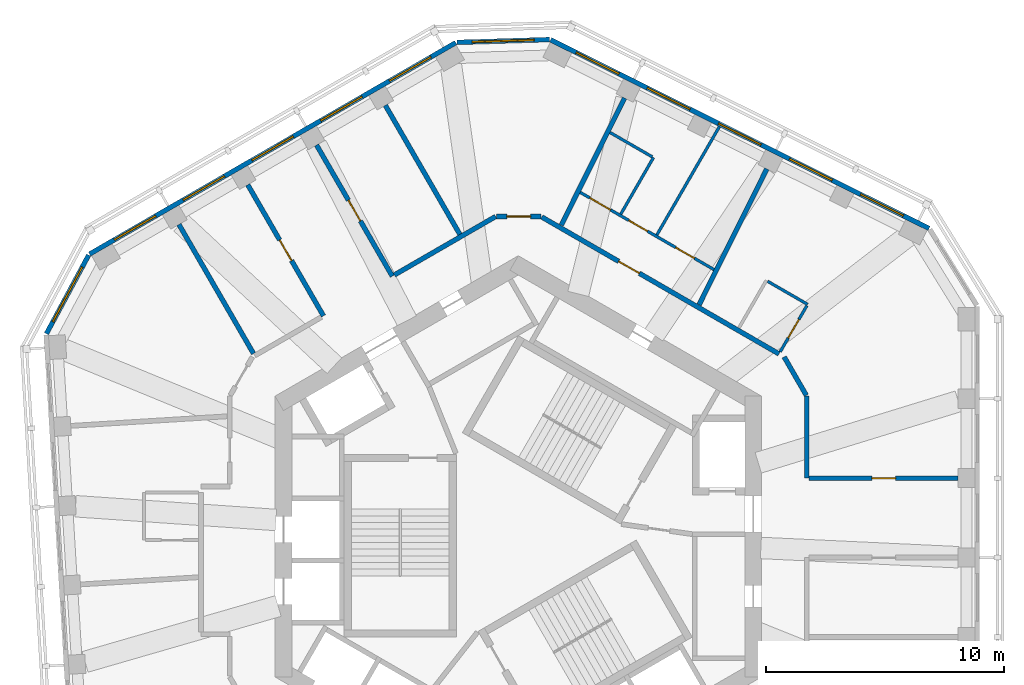
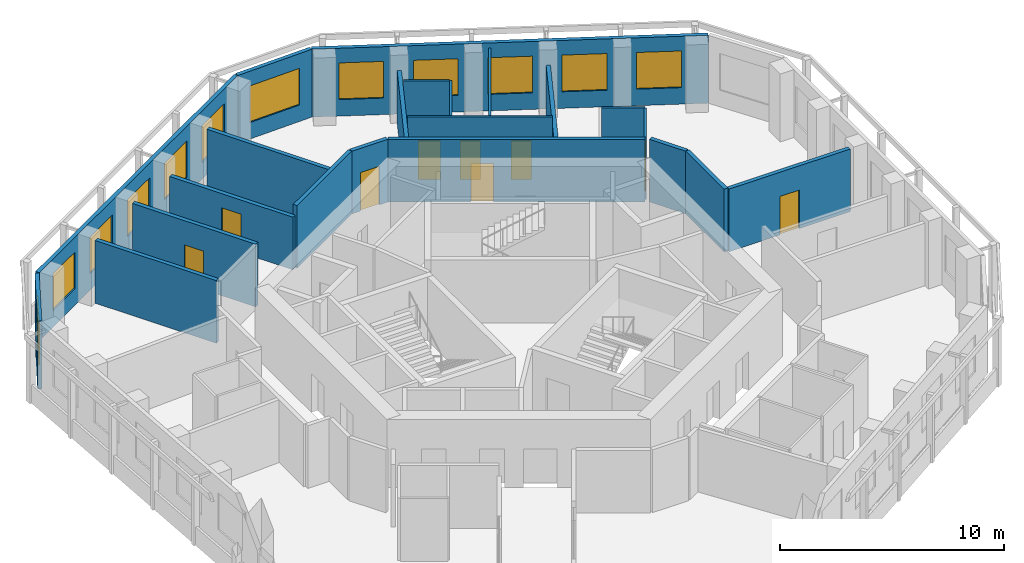
# One storey, part 7 of 11: 22 walls, 12 windows, 9 doors, 21 openings.
"""IFC4 building model written with IfcOpenShell, lengths in metres."""

from ifc_helpers import new_model, si_unit, direction, frame, frame_2d, origin, place, context, subcontext, project, spatial, rectangle, extrude, material, layer, layer_set, type_object, element, fill, save


model = new_model("IFC4")

# Units and contexts
model_context = context("Model", 3, precision=1e-05, world=origin(), true_north=direction((0.0, 1.0)))
body_context = subcontext(model_context, "Body", "Model", "MODEL_VIEW")
ifc_project = project(units=[si_unit("LENGTHUNIT", "METRE"), si_unit("AREAUNIT", "SQUARE_METRE"), si_unit("VOLUMEUNIT", "CUBIC_METRE"), si_unit("PLANEANGLEUNIT", "RADIAN"), si_unit("MASSUNIT", "GRAM", prefix="KILO")], contexts=[model_context])

# Site, building, storey
site_placement = place(None, origin())
site = spatial("IfcSite", under=ifc_project, at=site_placement, CompositionType="ELEMENT")
building_placement = place(site_placement, origin())
building = spatial("IfcBuilding", under=site, at=building_placement, Name="Vanh Sen Convention Tower", CompositionType="ELEMENT")
storey_placement = place(building_placement, frame((0.0, 0.0, 285.699951171875)))
storey = spatial("IfcBuildingStorey", under=building, at=storey_placement, Name="L70", CompositionType="ELEMENT", Elevation=285.699951171875)

# Walls
ifc_material_1 = material(Name="Moisture-resistant gypsum board on steel studs", Category="steel")
ifc_layer_1 = layer(ifc_material_1, 0.1201171875)
ifc_layer_set_1 = layer_set([ifc_layer_1], Name="Moisture-resistant gypsum board on steel studs")
wall_type_1 = type_object("IfcWallType", Name="Bathroom partition 120", PredefinedType="PARTITIONING", material=ifc_layer_set_1)
wall_1_placement = place(storey_placement, frame((4.298828125, 13.522216796875, 0.0), z_axis=(0.0, 0.0, 1.0), x_axis=(0.499982138324, 0.866035715982, 0.0)))
element("IfcWall", 1, at=wall_1_placement, inside=storey, type_object=wall_type_1, Name="Bathroom partition 120", PredefinedType="PARTITIONING", context=body_context, shape_type="SweptSolid", body=[
    extrude(rectangle(XDim=2.73974609375, YDim=0.1201171875, at=frame_2d((1.369873046875, 0.0))), origin(), (0.0, 0.0, 1.0), 3.420166015625),
])
wall_2_placement = place(storey_placement, frame((5.61669921875, 15.925048828125, 0.0), z_axis=(0.0, 0.0, 1.0), x_axis=(-0.866010195725, 0.500026340207, 0.0)))
element("IfcWall", 2, at=wall_2_placement, inside=storey, type_object=wall_type_1, Name="Bathroom partition 120", PredefinedType="PARTITIONING", context=body_context, shape_type="SweptSolid", body=[
    extrude(rectangle(XDim=2.0400390625, YDim=0.1201171875, at=frame_2d((1.02001953125, 0.0))), origin(), (0.0, 0.0, 1.0), 3.420166015625),
])

# Wall, openings, doors
wall_3_placement = place(storey_placement, frame((8.20654296875, 11.19677734375, 0.0), z_axis=(0.0, 0.0, 1.0), x_axis=(-0.866030514021, 0.499991148707, 0.0)))
wall_3 = element("IfcWall", 3, at=wall_3_placement, inside=storey, type_object=wall_type_1, Name="Bathroom partition 120", PredefinedType="PARTITIONING", context=body_context, shape_type="SweptSolid", body=[
    extrude(rectangle(XDim=6.4755859375, YDim=0.1201171875, at=frame_2d((3.23779296875, 0.0))), origin(), (0.0, 0.0, 1.0), 3.420166015625),
])
opening_1_placement = place(wall_3_placement, frame((5.01123046875, 0.0, 0.0)))
opening_1 = element("IfcOpeningElement", 4, at=opening_1_placement, cuts=wall_3, Name="Opening D70104", PredefinedType="OPENING", context=body_context, shape_type="SweptSolid", body=[
    extrude(rectangle(XDim=1.0, YDim=2.10009765625, at=frame_2d((0.5, 1.050048828125))), frame((0.0, 0.070068359375, 0.0), z_axis=(0.0, -1.0, 0.0), x_axis=(1.0, 0.0, 0.0)), (0.0, 0.0, 1.0), 0.14013671875),
])
opening_2_placement = place(wall_3_placement, frame((0.949951171875, 0.0, 0.0)))
opening_2 = element("IfcOpeningElement", 5, at=opening_2_placement, cuts=wall_3, Name="Opening D70105", PredefinedType="OPENING", context=body_context, shape_type="SweptSolid", body=[
    extrude(rectangle(XDim=0.89990234375, YDim=2.10009765625, at=frame_2d((0.449951171875, 1.050048828125))), frame((0.0, 0.070068359375, 0.0), z_axis=(0.0, -1.0, 0.0), x_axis=(1.0, 0.0, 0.0)), (0.0, 0.0, 1.0), 0.14013671875),
])
opening_3_placement = place(wall_3_placement, frame((3.223388671875, 0.0, 0.0)))
opening_3 = element("IfcOpeningElement", 6, at=opening_3_placement, cuts=wall_3, Name="Opening D70106", PredefinedType="OPENING", context=body_context, shape_type="SweptSolid", body=[
    extrude(rectangle(XDim=0.89990234375, YDim=2.10009765625, at=frame_2d((0.449951171875, 1.050048828125))), frame((0.0, 0.070068359375, 0.0), z_axis=(0.0, -1.0, 0.0), x_axis=(1.0, 0.0, 0.0)), (0.0, 0.0, 1.0), 0.14013671875),
])
ifc_material_2 = material(Name="Laminate door in steel frame", Category="steel")
door_type_1 = type_object("IfcDoorType", Name="Accessible WC door 1000", OperationType="SINGLE_SWING_LEFT", PredefinedType="DOOR", material=ifc_material_2)
door_1_placement = place(opening_1_placement, origin())
door_1 = element("IfcDoor", 7, at=door_1_placement, inside=storey, type_object=door_type_1, Name="Accessible WC door D70104", OperationType="SINGLE_SWING_LEFT", OverallHeight=2.10009765625, OverallWidth=1.0, PredefinedType="DOOR", context=body_context, shape_type="SweptSolid", body=[
    extrude(rectangle(XDim=1.0, YDim=2.10009765625, at=frame_2d((0.5, 1.050048828125))), frame((0.0, 0.02490234375, 0.0), z_axis=(0.0, -1.0, 0.0), x_axis=(1.0, 0.0, 0.0)), (0.0, 0.0, 1.0), 0.050048828125),
])
fill(opening_1, door_1)
door_type_2 = type_object("IfcDoorType", Name="Room internal door 900", OperationType="SINGLE_SWING_LEFT", PredefinedType="DOOR", material=ifc_material_2)
door_2_placement = place(opening_2_placement, origin())
door_2 = element("IfcDoor", 8, at=door_2_placement, inside=storey, type_object=door_type_2, Name="Internal room door D70105", OperationType="SINGLE_SWING_LEFT", OverallHeight=2.10009765625, OverallWidth=0.89990234375, PredefinedType="DOOR", context=body_context, shape_type="SweptSolid", body=[
    extrude(rectangle(XDim=0.89990234375, YDim=2.10009765625, at=frame_2d((0.449951171875, 1.050048828125))), frame((0.0, 0.02490234375, 0.0), z_axis=(0.0, -1.0, 0.0), x_axis=(1.0, 0.0, 0.0)), (0.0, 0.0, 1.0), 0.050048828125),
])
fill(opening_2, door_2)
door_3_placement = place(opening_3_placement, origin())
door_3 = element("IfcDoor", 9, at=door_3_placement, inside=storey, type_object=door_type_2, Name="Internal room door D70106", OperationType="SINGLE_SWING_LEFT", OverallHeight=2.10009765625, OverallWidth=0.89990234375, PredefinedType="DOOR", context=body_context, shape_type="SweptSolid", body=[
    extrude(rectangle(XDim=0.89990234375, YDim=2.10009765625, at=frame_2d((0.449951171875, 1.050048828125))), frame((0.0, 0.02490234375, 0.0), z_axis=(0.0, -1.0, 0.0), x_axis=(1.0, 0.0, 0.0)), (0.0, 0.0, 1.0), 0.050048828125),
])
fill(opening_3, door_3)

# Walls
wall_4_placement = place(storey_placement, frame((8.434814453125, 17.192138671875, 0.0), z_axis=(0.0, 0.0, 1.0), x_axis=(-0.499982949935, -0.86603524742, 0.0)))
element("IfcWall", 10, at=wall_4_placement, inside=storey, type_object=wall_type_1, Name="Bathroom partition 120", PredefinedType="PARTITIONING", context=body_context, shape_type="SweptSolid", body=[
    extrude(rectangle(XDim=5.246337890625, YDim=0.1201171875, at=frame_2d((2.623046875, 0.0))), origin(), (0.0, 0.0, 1.0), 3.420166015625),
])
wall_5_placement = place(storey_placement, frame((10.453369140625, 10.7080078125, 0.0), z_axis=(0.0, 0.0, 1.0), x_axis=(0.865988597889, -0.500063744262, 0.0)))
element("IfcWall", 11, at=wall_5_placement, inside=storey, type_object=wall_type_1, Name="Bathroom partition 120", PredefinedType="PARTITIONING", context=body_context, shape_type="SweptSolid", body=[
    extrude(rectangle(XDim=1.940185546875, YDim=0.1201171875, at=frame_2d((0.97021484375, 0.0))), origin(), (0.0, 0.0, 1.0), 3.420166015625),
])

# Wall, opening, door
wall_6_placement = place(storey_placement, frame((12.103515625, 9.685791015625, 0.0), z_axis=(0.0, 0.0, 1.0), x_axis=(-0.500077830873, -0.865980463445, 0.0)))
wall_6 = element("IfcWall", 12, at=wall_6_placement, inside=storey, type_object=wall_type_1, Name="Bathroom partition 120", PredefinedType="PARTITIONING", context=body_context, shape_type="SweptSolid", body=[
    extrude(rectangle(XDim=2.239990234375, YDim=0.1201171875, at=frame_2d((1.1201171875, 0.0))), origin(), (0.0, 0.0, 1.0), 3.420166015625),
])
opening_4_placement = place(wall_6_placement, frame((0.669921875, 0.0, 0.0)))
opening_4 = element("IfcOpeningElement", 13, at=opening_4_placement, cuts=wall_6, Name="Opening D70102", PredefinedType="OPENING", context=body_context, shape_type="SweptSolid", body=[
    extrude(rectangle(XDim=0.89990234375, YDim=2.10009765625, at=frame_2d((0.449951171875, 1.050048828125))), frame((0.0, 0.070068359375, 0.0), z_axis=(0.0, -1.0, 0.0), x_axis=(1.0, 0.0, 0.0)), (0.0, 0.0, 1.0), 0.14013671875),
])
door_4_placement = place(opening_4_placement, origin())
door_4 = element("IfcDoor", 14, at=door_4_placement, inside=storey, type_object=door_type_2, Name="Internal room door D70102", OperationType="SINGLE_SWING_LEFT", OverallHeight=2.10009765625, OverallWidth=0.89990234375, PredefinedType="DOOR", context=body_context, shape_type="SweptSolid", body=[
    extrude(rectangle(XDim=0.89990234375, YDim=2.10009765625, at=frame_2d((0.449951171875, 1.050048828125))), frame((0.0, 0.02490234375, 0.0), z_axis=(0.0, -1.0, 0.0), x_axis=(1.0, 0.0, 0.0)), (0.0, 0.0, 1.0), 0.050048828125),
])
fill(opening_4, door_4)

ifc_material_3 = material(Name="Gypsum board on steel studs with mineral wool", Category="steel")
ifc_layer_2 = layer(ifc_material_3, 0.199951171875)
ifc_layer_set_2 = layer_set([ifc_layer_2], Name="Gypsum board on steel studs with mineral wool")
wall_type_2 = type_object("IfcWallType", Name="Corridor partition wall 200", PredefinedType="PARTITIONING", material=ifc_layer_set_2)
wall_7_placement = place(storey_placement, frame((-11.34521484375, 14.754150390625, 0.0), z_axis=(0.0, 0.0, 1.0), x_axis=(0.500005339912, -0.866022320763, 0.0)))
wall_7 = element("IfcWall", 15, at=wall_7_placement, inside=storey, type_object=wall_type_2, Name="Corridor partition wall 200", PredefinedType="PARTITIONING", context=body_context, shape_type="SweptSolid", body=[
    extrude(rectangle(XDim=6.35009765625, YDim=0.199951171875, at=frame_2d((3.175048828125, 0.0))), origin(), (0.0, 0.0, 1.0), 3.420166015625),
])
opening_5_placement = place(wall_7_placement, frame((2.675048828125, 0.0, 0.0)))
opening_5 = element("IfcOpeningElement", 16, at=opening_5_placement, cuts=wall_7, Name="Opening D70109", PredefinedType="OPENING", context=body_context, shape_type="SweptSolid", body=[
    extrude(rectangle(XDim=1.0, YDim=2.10009765625, at=frame_2d((0.5, 1.050048828125))), frame((0.0, 0.10986328125, 0.0), z_axis=(0.0, -1.0, 0.0), x_axis=(1.0, 0.0, 0.0)), (0.0, 0.0, 1.0), 0.219970703125),
])
ifc_material_4 = material(Name="Glazed fire door in steel frame", Category="steel")
door_type_3 = type_object("IfcDoorType", Name="Tenant entrance door 1000", OperationType="SINGLE_SWING_LEFT", PredefinedType="DOOR", material=ifc_material_4)
door_5_placement = place(opening_5_placement, origin())
door_5 = element("IfcDoor", 17, at=door_5_placement, inside=storey, type_object=door_type_3, Name="Tenant suite entrance door D70109", OperationType="SINGLE_SWING_LEFT", OverallHeight=2.10009765625, OverallWidth=1.0, PredefinedType="DOOR", context=body_context, shape_type="SweptSolid", body=[
    extrude(rectangle(XDim=1.0, YDim=2.10009765625, at=frame_2d((0.5, 1.050048828125))), frame((0.0, 0.02490234375, 0.0), z_axis=(0.0, -1.0, 0.0), x_axis=(1.0, 0.0, 0.0)), (0.0, 0.0, 1.0), 0.050048828125),
])
fill(opening_5, door_5)

wall_8_placement = place(storey_placement, frame((-8.4599609375, 16.419921875, 0.0), z_axis=(0.0, 0.0, 1.0), x_axis=(0.500005339912, -0.866022320763, 0.0)))
wall_8 = element("IfcWall", 18, at=wall_8_placement, inside=storey, type_object=wall_type_2, Name="Corridor partition wall 200", PredefinedType="PARTITIONING", context=body_context, shape_type="SweptSolid", body=[
    extrude(rectangle(XDim=6.35009765625, YDim=0.199951171875, at=frame_2d((3.175048828125, 0.0))), origin(), (0.0, 0.0, 1.0), 2.8701171875),
])
opening_6_placement = place(wall_8_placement, frame((2.675048828125, 0.0, 0.0)))
opening_6 = element("IfcOpeningElement", 19, at=opening_6_placement, cuts=wall_8, Name="Opening D70108", PredefinedType="OPENING", context=body_context, shape_type="SweptSolid", body=[
    extrude(rectangle(XDim=1.0, YDim=2.10009765625, at=frame_2d((0.5, 1.050048828125))), frame((0.0, 0.10986328125, 0.0), z_axis=(0.0, -1.0, 0.0), x_axis=(1.0, 0.0, 0.0)), (0.0, 0.0, 1.0), 0.219970703125),
])
door_6_placement = place(opening_6_placement, origin())
door_6 = element("IfcDoor", 20, at=door_6_placement, inside=storey, type_object=door_type_3, Name="Tenant suite entrance door D70108", OperationType="SINGLE_SWING_LEFT", OverallHeight=2.10009765625, OverallWidth=1.0, PredefinedType="DOOR", context=body_context, shape_type="SweptSolid", body=[
    extrude(rectangle(XDim=1.0, YDim=2.10009765625, at=frame_2d((0.5, 1.050048828125))), frame((0.0, 0.02490234375, 0.0), z_axis=(0.0, -1.0, 0.0), x_axis=(1.0, 0.0, 0.0)), (0.0, 0.0, 1.0), 0.050048828125),
])
fill(opening_6, door_6)

# Wall
wall_9_placement = place(storey_placement, frame((-0.949951171875, 13.42333984375, 0.0), z_axis=(0.0, 0.0, 1.0), x_axis=(-0.86603557629, -0.499982380289, 0.0)))
element("IfcWall", 21, at=wall_9_placement, inside=storey, type_object=wall_type_2, Name="Corridor partition wall 200", PredefinedType="PARTITIONING", context=body_context, shape_type="SweptSolid", body=[
    extrude(rectangle(XDim=4.905517578125, YDim=0.199951171875, at=frame_2d((2.45263671875, 0.0))), origin(), (0.0, 0.0, 1.0), 3.420166015625),
])

# Wall, opening, door
wall_10_placement = place(storey_placement, frame((0.949951171875, 13.42333984375, 0.0), z_axis=(0.0, 0.0, 1.0), x_axis=(-1.0, 0.0, 0.0)))
wall_10 = element("IfcWall", 22, at=wall_10_placement, inside=storey, type_object=wall_type_2, Name="Corridor partition wall 200", PredefinedType="PARTITIONING", context=body_context, shape_type="SweptSolid", body=[
    extrude(rectangle(XDim=1.85986328125, YDim=0.199951171875, at=frame_2d((0.929931640625, 0.0))), origin(), (0.0, 0.0, 1.0), 3.420166015625),
])
opening_7_placement = place(wall_10_placement, frame((0.429931640625, 0.0, 0.0)))
opening_7 = element("IfcOpeningElement", 23, at=opening_7_placement, cuts=wall_10, Name="Opening D70107", PredefinedType="OPENING", context=body_context, shape_type="SweptSolid", body=[
    extrude(rectangle(XDim=1.0, YDim=2.10009765625, at=frame_2d((0.5, 1.050048828125))), frame((0.0, 0.10986328125, 0.0), z_axis=(0.0, -1.0, 0.0), x_axis=(1.0, 0.0, 0.0)), (0.0, 0.0, 1.0), 0.219970703125),
])
door_7_placement = place(opening_7_placement, origin())
door_7 = element("IfcDoor", 24, at=door_7_placement, inside=storey, type_object=door_type_3, Name="Tenant suite entrance door D70107", OperationType="SINGLE_SWING_LEFT", OverallHeight=2.10009765625, OverallWidth=1.0, PredefinedType="DOOR", context=body_context, shape_type="SweptSolid", body=[
    extrude(rectangle(XDim=1.0, YDim=2.10009765625, at=frame_2d((0.5, 1.050048828125))), frame((0.0, 0.02490234375, 0.0), z_axis=(0.0, -1.0, 0.0), x_axis=(1.0, 0.0, 0.0)), (0.0, 0.0, 1.0), 0.050048828125),
])
fill(opening_7, door_7)

wall_11_placement = place(storey_placement, frame((10.93359375, 7.659423828125, 0.0), z_axis=(0.0, 0.0, 1.0), x_axis=(-0.866030932647, 0.499990423607, 0.0)))
wall_11 = element("IfcWall", 25, at=wall_11_placement, inside=storey, type_object=wall_type_2, Name="Corridor partition wall 200", PredefinedType="PARTITIONING", context=body_context, shape_type="SweptSolid", body=[
    extrude(rectangle(XDim=11.488037109375, YDim=0.199951171875, at=frame_2d((5.744140625, 0.0))), origin(), (0.0, 0.0, 1.0), 3.420166015625),
])
opening_8_placement = place(wall_11_placement, frame((6.76416015625, 0.0, 0.0)))
opening_8 = element("IfcOpeningElement", 26, at=opening_8_placement, cuts=wall_11, Name="Opening D70103", PredefinedType="OPENING", context=body_context, shape_type="SweptSolid", body=[
    extrude(rectangle(XDim=1.0, YDim=2.10009765625, at=frame_2d((0.5, 1.050048828125))), frame((0.0, 0.10986328125, 0.0), z_axis=(0.0, -1.0, 0.0), x_axis=(1.0, 0.0, 0.0)), (0.0, 0.0, 1.0), 0.219970703125),
])
ifc_material_5 = material(Name="Timber fire door in steel frame", Category="steel")
door_type_4 = type_object("IfcDoorType", Name="Floor room door 1000", OperationType="SINGLE_SWING_LEFT", PredefinedType="DOOR", material=ifc_material_5)
door_8_placement = place(opening_8_placement, origin())
door_8 = element("IfcDoor", 27, at=door_8_placement, inside=storey, type_object=door_type_4, Name="Meeting and amenity room door D70103", OperationType="SINGLE_SWING_LEFT", OverallHeight=2.10009765625, OverallWidth=1.0, PredefinedType="DOOR", context=body_context, shape_type="SweptSolid", body=[
    extrude(rectangle(XDim=1.0, YDim=2.10009765625, at=frame_2d((0.5, 1.050048828125))), frame((0.0, 0.02490234375, 0.0), z_axis=(0.0, -1.0, 0.0), x_axis=(1.0, 0.0, 0.0)), (0.0, 0.0, 1.0), 0.050048828125),
])
fill(opening_8, door_8)

# Walls
wall_12_placement = place(storey_placement, frame((12.080078125, 5.923583984375, 0.0), z_axis=(0.0, 0.0, 1.0), x_axis=(-0.500063286585, 0.865988862174, 0.0)))
element("IfcWall", 28, at=wall_12_placement, inside=storey, type_object=wall_type_2, Name="Corridor partition wall 200", PredefinedType="PARTITIONING", context=body_context, shape_type="SweptSolid", body=[
    extrude(rectangle(XDim=1.860107421875, YDim=0.199951171875, at=frame_2d((0.93017578125, 0.0))), origin(), (0.0, 0.0, 1.0), 3.420166015625),
])
wall_13_placement = place(storey_placement, frame((12.10009765625, 2.4482421875, 0.0), z_axis=(0.0, 0.0, 1.0), x_axis=(0.0, 1.0, 0.0)))
element("IfcWall", 29, at=wall_13_placement, inside=storey, type_object=wall_type_2, Name="Corridor partition wall 200", PredefinedType="PARTITIONING", context=body_context, shape_type="SweptSolid", body=[
    extrude(rectangle(XDim=3.440673828125, YDim=0.199951171875, at=frame_2d((1.72021484375, 0.0))), origin(), (0.0, 0.0, 1.0), 3.420166015625),
])

# Wall, opening, door
wall_14_placement = place(storey_placement, frame((18.449951171875, 2.4482421875, 0.0), z_axis=(0.0, 0.0, 1.0), x_axis=(-1.0, 0.0, 0.0)))
wall_14 = element("IfcWall", 30, at=wall_14_placement, inside=storey, type_object=wall_type_2, Name="Corridor partition wall 200", PredefinedType="PARTITIONING", context=body_context, shape_type="SweptSolid", body=[
    extrude(rectangle(XDim=6.25, YDim=0.199951171875, at=frame_2d((3.125, 0.0))), origin(), (0.0, 0.0, 1.0), 3.420166015625),
])
opening_9_placement = place(wall_14_placement, frame((2.625, 0.0, 0.0)))
opening_9 = element("IfcOpeningElement", 31, at=opening_9_placement, cuts=wall_14, Name="Opening D70101", PredefinedType="OPENING", context=body_context, shape_type="SweptSolid", body=[
    extrude(rectangle(XDim=1.0, YDim=2.10009765625, at=frame_2d((0.5, 1.050048828125))), frame((0.0, 0.10986328125, 0.0), z_axis=(0.0, -1.0, 0.0), x_axis=(1.0, 0.0, 0.0)), (0.0, 0.0, 1.0), 0.219970703125),
])
door_9_placement = place(opening_9_placement, origin())
door_9 = element("IfcDoor", 32, at=door_9_placement, inside=storey, type_object=door_type_3, Name="Tenant suite entrance door D70101", OperationType="SINGLE_SWING_LEFT", OverallHeight=2.10009765625, OverallWidth=1.0, PredefinedType="DOOR", context=body_context, shape_type="SweptSolid", body=[
    extrude(rectangle(XDim=1.0, YDim=2.10009765625, at=frame_2d((0.5, 1.050048828125))), frame((0.0, 0.02490234375, 0.0), z_axis=(0.0, -1.0, 0.0), x_axis=(1.0, 0.0, 0.0)), (0.0, 0.0, 1.0), 0.050048828125),
])
fill(opening_9, door_9)

# Wall, openings, windows
ifc_material_6 = material(Name="Insulated lightweight infill wall")
ifc_layer_3 = layer(ifc_material_6, 0.199951171875)
ifc_layer_set_3 = layer_set([ifc_layer_3], Name="Insulated lightweight infill wall")
wall_type_3 = type_object("IfcWallType", Name="External wall 200", PredefinedType="STANDARD", material=ifc_layer_set_3)
wall_15_placement = place(storey_placement, frame((17.222900390625, 12.9228515625, 0.0), z_axis=(0.0, 0.0, 1.0), x_axis=(-0.894930561148, 0.44620543556, 0.0)))
wall_15 = element("IfcWall", 33, at=wall_15_placement, inside=storey, type_object=wall_type_3, Name="External wall NE L70", PredefinedType="STANDARD", context=body_context, shape_type="SweptSolid", body=[
    extrude(rectangle(XDim=17.7314453125, YDim=0.199951171875, at=frame_2d((8.86572265625, 0.0))), origin(), (0.0, 0.0, 1.0), 3.699951171875),
])
opening_10_placement = place(wall_15_placement, frame((1.20166015625, 0.0, 0.89990234375)))
opening_10 = element("IfcOpeningElement", 34, at=opening_10_placement, cuts=wall_15, Name="Opening WO5-NE1", PredefinedType="OPENING", context=body_context, shape_type="SweptSolid", body=[
    extrude(rectangle(XDim=2.0, YDim=2.0, at=frame_2d((1.0, 1.0))), frame((0.0, 0.10986328125, 0.0), z_axis=(0.0, -1.0, 0.0), x_axis=(1.0, 0.0, 0.0)), (0.0, 0.0, 1.0), 0.219970703125),
])
opening_11_placement = place(wall_15_placement, frame((4.533203125, 0.0, 0.89990234375)))
opening_11 = element("IfcOpeningElement", 35, at=opening_11_placement, cuts=wall_15, Name="Opening WO5-NE2", PredefinedType="OPENING", context=body_context, shape_type="SweptSolid", body=[
    extrude(rectangle(XDim=2.0, YDim=2.0, at=frame_2d((1.0, 1.0))), frame((0.0, 0.10986328125, 0.0), z_axis=(0.0, -1.0, 0.0), x_axis=(1.0, 0.0, 0.0)), (0.0, 0.0, 1.0), 0.219970703125),
])
opening_12_placement = place(wall_15_placement, frame((7.864990234375, 0.0, 0.89990234375)))
opening_12 = element("IfcOpeningElement", 36, at=opening_12_placement, cuts=wall_15, Name="Opening WO5-NE3", PredefinedType="OPENING", context=body_context, shape_type="SweptSolid", body=[
    extrude(rectangle(XDim=2.0, YDim=2.0, at=frame_2d((1.0, 1.0))), frame((0.0, 0.10986328125, 0.0), z_axis=(0.0, -1.0, 0.0), x_axis=(1.0, 0.0, 0.0)), (0.0, 0.0, 1.0), 0.219970703125),
])
opening_13_placement = place(wall_15_placement, frame((11.196533203125, 0.0, 0.89990234375)))
opening_13 = element("IfcOpeningElement", 37, at=opening_13_placement, cuts=wall_15, Name="Opening WO5-NE4", PredefinedType="OPENING", context=body_context, shape_type="SweptSolid", body=[
    extrude(rectangle(XDim=2.0, YDim=2.0, at=frame_2d((1.0, 1.0))), frame((0.0, 0.10986328125, 0.0), z_axis=(0.0, -1.0, 0.0), x_axis=(1.0, 0.0, 0.0)), (0.0, 0.0, 1.0), 0.219970703125),
])
opening_14_placement = place(wall_15_placement, frame((14.5283203125, 0.0, 0.89990234375)))
opening_14 = element("IfcOpeningElement", 38, at=opening_14_placement, cuts=wall_15, Name="Opening WO5-NE5", PredefinedType="OPENING", context=body_context, shape_type="SweptSolid", body=[
    extrude(rectangle(XDim=2.0, YDim=2.0, at=frame_2d((1.0, 1.0))), frame((0.0, 0.10986328125, 0.0), z_axis=(0.0, -1.0, 0.0), x_axis=(1.0, 0.0, 0.0)), (0.0, 0.0, 1.0), 0.219970703125),
])
ifc_material_7 = material(Name="Aluminium frame with clear low-emissivity glass", Category="aluminium")
window_type_1 = type_object("IfcWindowType", Name="Office window 2000 x 2000", PartitioningType="SINGLE_PANEL", PredefinedType="WINDOW", material=ifc_material_7)
window_1_placement = place(opening_10_placement, origin())
window_1 = element("IfcWindow", 39, at=window_1_placement, inside=storey, type_object=window_type_1, Name="Window WO5-NE1", OverallHeight=2.0, OverallWidth=2.0, PartitioningType="SINGLE_PANEL", PredefinedType="WINDOW", context=body_context, shape_type="SweptSolid", body=[
    extrude(rectangle(XDim=2.0, YDim=2.0, at=frame_2d((1.0, 1.0))), frame((0.0, 0.030029296875, 0.0), z_axis=(0.0, -1.0, 0.0), x_axis=(1.0, 0.0, 0.0)), (0.0, 0.0, 1.0), 0.06005859375),
])
fill(opening_10, window_1)
window_2_placement = place(opening_11_placement, origin())
window_2 = element("IfcWindow", 40, at=window_2_placement, inside=storey, type_object=window_type_1, Name="Window WO5-NE2", OverallHeight=2.0, OverallWidth=2.0, PartitioningType="SINGLE_PANEL", PredefinedType="WINDOW", context=body_context, shape_type="SweptSolid", body=[
    extrude(rectangle(XDim=2.0, YDim=2.0, at=frame_2d((1.0, 1.0))), frame((0.0, 0.030029296875, 0.0), z_axis=(0.0, -1.0, 0.0), x_axis=(1.0, 0.0, 0.0)), (0.0, 0.0, 1.0), 0.06005859375),
])
fill(opening_11, window_2)
window_3_placement = place(opening_12_placement, origin())
window_3 = element("IfcWindow", 41, at=window_3_placement, inside=storey, type_object=window_type_1, Name="Window WO5-NE3", OverallHeight=2.0, OverallWidth=2.0, PartitioningType="SINGLE_PANEL", PredefinedType="WINDOW", context=body_context, shape_type="SweptSolid", body=[
    extrude(rectangle(XDim=2.0, YDim=2.0, at=frame_2d((1.0, 1.0))), frame((0.0, 0.030029296875, 0.0), z_axis=(0.0, -1.0, 0.0), x_axis=(1.0, 0.0, 0.0)), (0.0, 0.0, 1.0), 0.06005859375),
])
fill(opening_12, window_3)
window_4_placement = place(opening_13_placement, origin())
window_4 = element("IfcWindow", 42, at=window_4_placement, inside=storey, type_object=window_type_1, Name="Window WO5-NE4", OverallHeight=2.0, OverallWidth=2.0, PartitioningType="SINGLE_PANEL", PredefinedType="WINDOW", context=body_context, shape_type="SweptSolid", body=[
    extrude(rectangle(XDim=2.0, YDim=2.0, at=frame_2d((1.0, 1.0))), frame((0.0, 0.030029296875, 0.0), z_axis=(0.0, -1.0, 0.0), x_axis=(1.0, 0.0, 0.0)), (0.0, 0.0, 1.0), 0.06005859375),
])
fill(opening_13, window_4)
window_5_placement = place(opening_14_placement, origin())
window_5 = element("IfcWindow", 43, at=window_5_placement, inside=storey, type_object=window_type_1, Name="Window WO5-NE5", OverallHeight=2.0, OverallWidth=2.0, PartitioningType="SINGLE_PANEL", PredefinedType="WINDOW", context=body_context, shape_type="SweptSolid", body=[
    extrude(rectangle(XDim=2.0, YDim=2.0, at=frame_2d((1.0, 1.0))), frame((0.0, 0.030029296875, 0.0), z_axis=(0.0, -1.0, 0.0), x_axis=(1.0, 0.0, 0.0)), (0.0, 0.0, 1.0), 0.06005859375),
])
fill(opening_14, window_5)

# Wall, opening, window
wall_16_placement = place(storey_placement, frame((1.306884765625, 20.84521484375, 0.0), z_axis=(0.0, 0.0, 1.0), x_axis=(-0.999533654813, -0.030536419175, 0.0)))
wall_16 = element("IfcWall", 44, at=wall_16_placement, inside=storey, type_object=wall_type_3, Name="External wall CH2 L70", PredefinedType="STANDARD", context=body_context, shape_type="SweptSolid", body=[
    extrude(rectangle(XDim=3.885498046875, YDim=0.199951171875, at=frame_2d((1.94287109375, 0.0))), origin(), (0.0, 0.0, 1.0), 3.699951171875),
])
opening_15_placement = place(wall_16_placement, frame((0.642822265625, 0.0, 0.89990234375)))
opening_15 = element("IfcOpeningElement", 45, at=opening_15_placement, cuts=wall_16, Name="Opening WO6-CH21", PredefinedType="OPENING", context=body_context, shape_type="SweptSolid", body=[
    extrude(rectangle(XDim=2.60009765625, YDim=2.0, at=frame_2d((1.300048828125, 1.0))), frame((0.0, 0.10986328125, 0.0), z_axis=(0.0, -1.0, 0.0), x_axis=(1.0, 0.0, 0.0)), (0.0, 0.0, 1.0), 0.219970703125),
])
window_type_2 = type_object("IfcWindowType", Name="Office window 2600 x 2000", PartitioningType="SINGLE_PANEL", PredefinedType="WINDOW", material=ifc_material_7)
window_6_placement = place(opening_15_placement, origin())
window_6 = element("IfcWindow", 46, at=window_6_placement, inside=storey, type_object=window_type_2, Name="Window WO6-CH21", OverallHeight=2.0, OverallWidth=2.60009765625, PartitioningType="SINGLE_PANEL", PredefinedType="WINDOW", context=body_context, shape_type="SweptSolid", body=[
    extrude(rectangle(XDim=2.60009765625, YDim=2.0, at=frame_2d((1.300048828125, 1.0))), frame((0.0, 0.030029296875, 0.0), z_axis=(0.0, -1.0, 0.0), x_axis=(1.0, 0.0, 0.0)), (0.0, 0.0, 1.0), 0.06005859375),
])
fill(opening_15, window_6)

# Wall, openings, windows
wall_17_placement = place(storey_placement, frame((-2.623779296875, 20.713134765625, 0.0), z_axis=(0.0, 0.0, 1.0), x_axis=(-0.866026460444, -0.499998169808, 0.0)))
wall_17 = element("IfcWall", 47, at=wall_17_placement, inside=storey, type_object=wall_type_3, Name="External wall NW L70", PredefinedType="STANDARD", context=body_context, shape_type="SweptSolid", body=[
    extrude(rectangle(XDim=17.7314453125, YDim=0.199951171875, at=frame_2d((8.86572265625, 0.0))), origin(), (0.0, 0.0, 1.0), 3.699951171875),
])
opening_16_placement = place(wall_17_placement, frame((1.203125, 0.0, 0.89990234375)))
opening_16 = element("IfcOpeningElement", 48, at=opening_16_placement, cuts=wall_17, Name="Opening WO5-NW1", PredefinedType="OPENING", context=body_context, shape_type="SweptSolid", body=[
    extrude(rectangle(XDim=2.0, YDim=2.0, at=frame_2d((1.0, 1.0))), frame((0.0, 0.10986328125, 0.0), z_axis=(0.0, -1.0, 0.0), x_axis=(1.0, 0.0, 0.0)), (0.0, 0.0, 1.0), 0.219970703125),
])
opening_17_placement = place(wall_17_placement, frame((4.534912109375, 0.0, 0.89990234375)))
opening_17 = element("IfcOpeningElement", 49, at=opening_17_placement, cuts=wall_17, Name="Opening WO5-NW2", PredefinedType="OPENING", context=body_context, shape_type="SweptSolid", body=[
    extrude(rectangle(XDim=2.0, YDim=2.0, at=frame_2d((1.0, 1.0))), frame((0.0, 0.10986328125, 0.0), z_axis=(0.0, -1.0, 0.0), x_axis=(1.0, 0.0, 0.0)), (0.0, 0.0, 1.0), 0.219970703125),
])
opening_18_placement = place(wall_17_placement, frame((7.86669921875, 0.0, 0.89990234375)))
opening_18 = element("IfcOpeningElement", 50, at=opening_18_placement, cuts=wall_17, Name="Opening WO5-NW3", PredefinedType="OPENING", context=body_context, shape_type="SweptSolid", body=[
    extrude(rectangle(XDim=2.0, YDim=2.0, at=frame_2d((1.0, 1.0))), frame((0.0, 0.10986328125, 0.0), z_axis=(0.0, -1.0, 0.0), x_axis=(1.0, 0.0, 0.0)), (0.0, 0.0, 1.0), 0.219970703125),
])
opening_19_placement = place(wall_17_placement, frame((11.1982421875, 0.0, 0.89990234375)))
opening_19 = element("IfcOpeningElement", 51, at=opening_19_placement, cuts=wall_17, Name="Opening WO5-NW4", PredefinedType="OPENING", context=body_context, shape_type="SweptSolid", body=[
    extrude(rectangle(XDim=2.0, YDim=2.0, at=frame_2d((1.0, 1.0))), frame((0.0, 0.10986328125, 0.0), z_axis=(0.0, -1.0, 0.0), x_axis=(1.0, 0.0, 0.0)), (0.0, 0.0, 1.0), 0.219970703125),
])
opening_20_placement = place(wall_17_placement, frame((14.52978515625, 0.0, 0.89990234375)))
opening_20 = element("IfcOpeningElement", 52, at=opening_20_placement, cuts=wall_17, Name="Opening WO5-NW5", PredefinedType="OPENING", context=body_context, shape_type="SweptSolid", body=[
    extrude(rectangle(XDim=2.0, YDim=2.0, at=frame_2d((1.0, 1.0))), frame((0.0, 0.10986328125, 0.0), z_axis=(0.0, -1.0, 0.0), x_axis=(1.0, 0.0, 0.0)), (0.0, 0.0, 1.0), 0.219970703125),
])
window_7_placement = place(opening_16_placement, origin())
window_7 = element("IfcWindow", 53, at=window_7_placement, inside=storey, type_object=window_type_1, Name="Window WO5-NW1", OverallHeight=2.0, OverallWidth=2.0, PartitioningType="SINGLE_PANEL", PredefinedType="WINDOW", context=body_context, shape_type="SweptSolid", body=[
    extrude(rectangle(XDim=2.0, YDim=2.0, at=frame_2d((1.0, 1.0))), frame((0.0, 0.030029296875, 0.0), z_axis=(0.0, -1.0, 0.0), x_axis=(1.0, 0.0, 0.0)), (0.0, 0.0, 1.0), 0.06005859375),
])
fill(opening_16, window_7)
window_8_placement = place(opening_17_placement, origin())
window_8 = element("IfcWindow", 54, at=window_8_placement, inside=storey, type_object=window_type_1, Name="Window WO5-NW2", OverallHeight=2.0, OverallWidth=2.0, PartitioningType="SINGLE_PANEL", PredefinedType="WINDOW", context=body_context, shape_type="SweptSolid", body=[
    extrude(rectangle(XDim=2.0, YDim=2.0, at=frame_2d((1.0, 1.0))), frame((0.0, 0.030029296875, 0.0), z_axis=(0.0, -1.0, 0.0), x_axis=(1.0, 0.0, 0.0)), (0.0, 0.0, 1.0), 0.06005859375),
])
fill(opening_17, window_8)
window_9_placement = place(opening_18_placement, origin())
window_9 = element("IfcWindow", 55, at=window_9_placement, inside=storey, type_object=window_type_1, Name="Window WO5-NW3", OverallHeight=2.0, OverallWidth=2.0, PartitioningType="SINGLE_PANEL", PredefinedType="WINDOW", context=body_context, shape_type="SweptSolid", body=[
    extrude(rectangle(XDim=2.0, YDim=2.0, at=frame_2d((1.0, 1.0))), frame((0.0, 0.030029296875, 0.0), z_axis=(0.0, -1.0, 0.0), x_axis=(1.0, 0.0, 0.0)), (0.0, 0.0, 1.0), 0.06005859375),
])
fill(opening_18, window_9)
window_10_placement = place(opening_19_placement, origin())
window_10 = element("IfcWindow", 56, at=window_10_placement, inside=storey, type_object=window_type_1, Name="Window WO5-NW4", OverallHeight=2.0, OverallWidth=2.0, PartitioningType="SINGLE_PANEL", PredefinedType="WINDOW", context=body_context, shape_type="SweptSolid", body=[
    extrude(rectangle(XDim=2.0, YDim=2.0, at=frame_2d((1.0, 1.0))), frame((0.0, 0.030029296875, 0.0), z_axis=(0.0, -1.0, 0.0), x_axis=(1.0, 0.0, 0.0)), (0.0, 0.0, 1.0), 0.06005859375),
])
fill(opening_19, window_10)
window_11_placement = place(opening_20_placement, origin())
window_11 = element("IfcWindow", 57, at=window_11_placement, inside=storey, type_object=window_type_1, Name="Window WO5-NW5", OverallHeight=2.0, OverallWidth=2.0, PartitioningType="SINGLE_PANEL", PredefinedType="WINDOW", context=body_context, shape_type="SweptSolid", body=[
    extrude(rectangle(XDim=2.0, YDim=2.0, at=frame_2d((1.0, 1.0))), frame((0.0, 0.030029296875, 0.0), z_axis=(0.0, -1.0, 0.0), x_axis=(1.0, 0.0, 0.0)), (0.0, 0.0, 1.0), 0.06005859375),
])
fill(opening_20, window_11)

# Wall, opening, window
wall_18_placement = place(storey_placement, frame((-18.017822265625, 11.80810546875, 0.0), z_axis=(0.0, 0.0, 1.0), x_axis=(-0.473318619185, -0.880891301315, 0.0)))
wall_18 = element("IfcWall", 58, at=wall_18_placement, inside=storey, type_object=wall_type_3, Name="External wall CH3 L70", PredefinedType="STANDARD", context=body_context, shape_type="SweptSolid", body=[
    extrude(rectangle(XDim=3.746826171875, YDim=0.199951171875, at=frame_2d((1.87353515625, 0.0))), origin(), (0.0, 0.0, 1.0), 3.699951171875),
])
opening_21_placement = place(wall_18_placement, frame((0.5732421875, 0.0, 0.89990234375)))
opening_21 = element("IfcOpeningElement", 59, at=opening_21_placement, cuts=wall_18, Name="Opening WO6-CH31", PredefinedType="OPENING", context=body_context, shape_type="SweptSolid", body=[
    extrude(rectangle(XDim=2.60009765625, YDim=2.0, at=frame_2d((1.300048828125, 1.0))), frame((0.0, 0.10986328125, 0.0), z_axis=(0.0, -1.0, 0.0), x_axis=(1.0, 0.0, 0.0)), (0.0, 0.0, 1.0), 0.219970703125),
])
window_12_placement = place(opening_21_placement, origin())
window_12 = element("IfcWindow", 60, at=window_12_placement, inside=storey, type_object=window_type_2, Name="Window WO6-CH31", OverallHeight=2.0, OverallWidth=2.60009765625, PartitioningType="SINGLE_PANEL", PredefinedType="WINDOW", context=body_context, shape_type="SweptSolid", body=[
    extrude(rectangle(XDim=2.60009765625, YDim=2.0, at=frame_2d((1.300048828125, 1.0))), frame((0.0, 0.030029296875, 0.0), z_axis=(0.0, -1.0, 0.0), x_axis=(1.0, 0.0, 0.0)), (0.0, 0.0, 1.0), 0.06005859375),
])
fill(opening_21, window_12)

# Walls
ifc_layer_4 = layer(ifc_material_3, 0.199951171875)
ifc_layer_set_4 = layer_set([ifc_layer_4], Name="Gypsum board on steel studs with mineral wool")
wall_type_4 = type_object("IfcWallType", Name="Tenant suite wall 200", PredefinedType="PARTITIONING", material=ifc_layer_set_4)
for number, where, z_axis, x_axis, name in (
    (61, (-14.23046875, 13.088134765625, 0.0), (0.0, 0.0, 1.0), (0.500004234368, -0.866022959057, 0.0), "Tenant suite wall 200"),
    (62, (-5.57470703125, 18.085693359375, 0.0), (0.0, 0.0, 1.0), (0.500004234368, -0.866022959057, 0.0), "Tenant suite wall 200"),
):
    element("IfcWall", number, at=place(storey_placement, frame(where, z_axis=z_axis, x_axis=x_axis)), inside=storey, type_object=wall_type_4, Name=name, PredefinedType="PARTITIONING", context=body_context, shape_type="SweptSolid", body=[
        extrude(rectangle(XDim=6.25, YDim=0.199951171875, at=frame_2d((3.125, 0.0))), origin(), (0.0, 0.0, 1.0), 3.420166015625),
    ])
wall_19_placement = place(storey_placement, frame((4.460205078125, 18.392333984375, 0.0), z_axis=(0.0, 0.0, 1.0), x_axis=(-0.446197360024, -0.894934587502, 0.0)))
element("IfcWall", 63, at=wall_19_placement, inside=storey, type_object=wall_type_4, Name="Tenant suite wall 200", PredefinedType="PARTITIONING", context=body_context, shape_type="SweptSolid", body=[
    extrude(rectangle(XDim=5.959716796875, YDim=0.199951171875, at=frame_2d((2.97998046875, 0.0))), origin(), (0.0, 0.0, 1.0), 2.8701171875),
])
wall_20_placement = place(storey_placement, frame((10.42333984375, 15.419189453125, 0.0), z_axis=(0.0, 0.0, 1.0), x_axis=(-0.446201045829, -0.89493274982, 0.0)))
element("IfcWall", 64, at=wall_20_placement, inside=storey, type_object=wall_type_4, Name="Tenant suite wall 200", PredefinedType="PARTITIONING", context=body_context, shape_type="SweptSolid", body=[
    extrude(rectangle(XDim=6.3671875, YDim=0.199951171875, at=frame_2d((3.18359375, 0.0))), origin(), (0.0, 0.0, 1.0), 2.8701171875),
])

save(model, "model.ifc")
